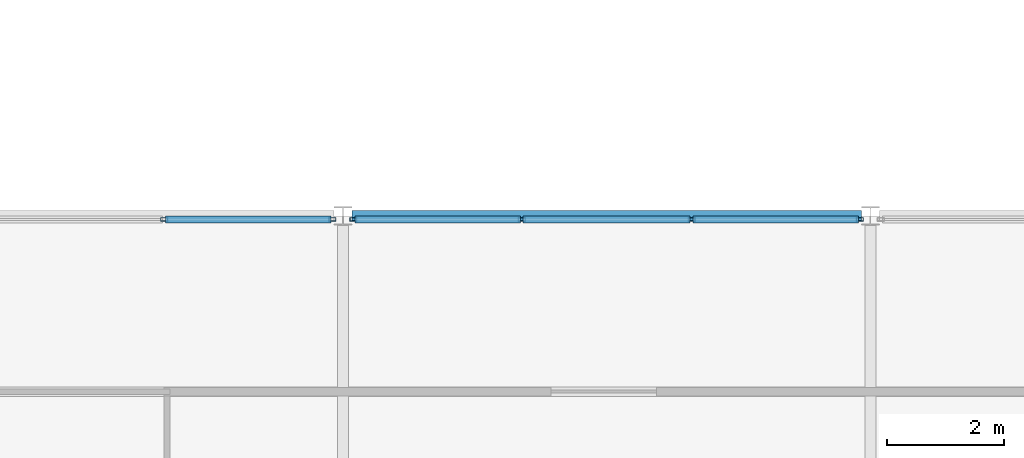
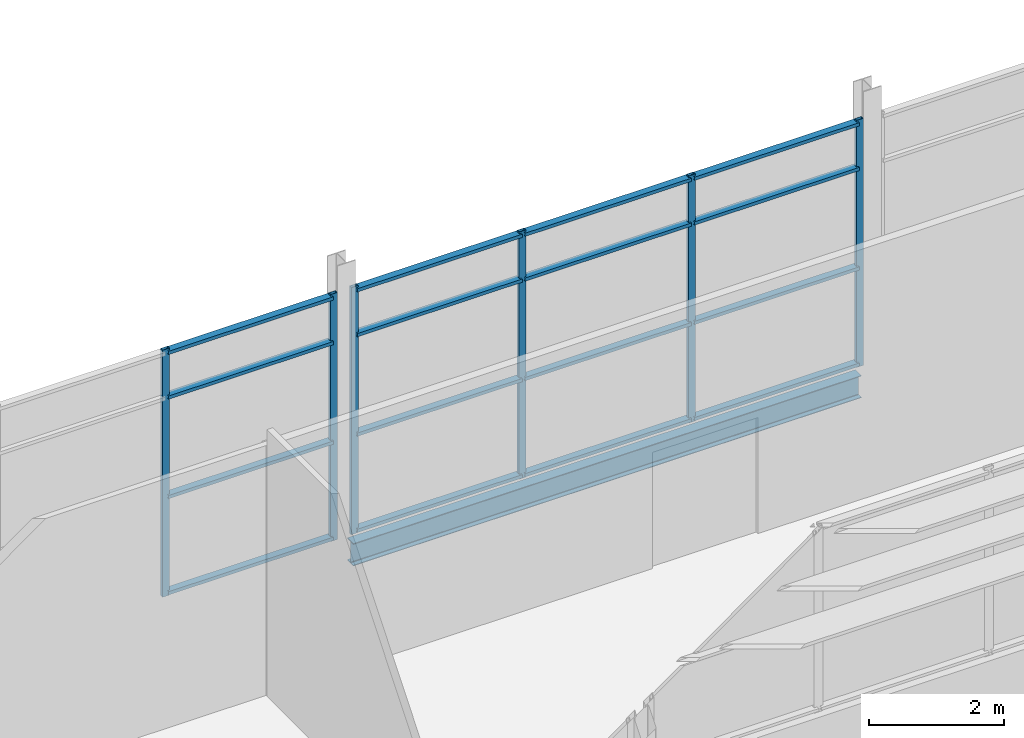
# One storey, part 31 of 61: 22 members, 1 beam, 2 elements without a shape of their own.
"""IFC4 building model written with IfcOpenShell, lengths in metres."""

import ifcopenshell
import ifcopenshell.guid

model = None  # the IFC model being written
_history = None  # IfcOwnerHistory: only IFC2X3 demands one
_inside = {}  # id of a spatial element -> (the spatial element, [elements in it])
_under = {}  # id of a project, library or spatial element -> (it, [spatial elements below it])
_declared = {}  # id of a project -> (the project, [libraries it declares])
_typed = {}  # id of a type object -> (the type object, [elements of that type])
_made_of = {}  # id of a material, layer set ... -> (it, [elements and type objects made of it])


def new_model(schema):
    """Start an empty IFC model of exactly this schema.

    Asked for "IFC4X3", IfcOpenShell would pick the latest addendum, in which some entities
    have other attributes; the version numbers below select the first issue.
    IFC2X3 requires an IfcOwnerHistory on every rooted entity: one is made here for all.
    """
    global model, _history
    if schema == "IFC4X3":
        model = ifcopenshell.file(schema_version=(4, 3, 0, 0))
    else:
        model = ifcopenshell.file(schema=schema)
    _inside.clear()
    _under.clear()
    _declared.clear()
    _typed.clear()
    _made_of.clear()
    _history = None
    if model.schema == "IFC2X3":
        org = make("IfcOrganization", Name="unknown")
        user = make(
            "IfcPersonAndOrganization",
            ThePerson=make("IfcPerson", FamilyName="unknown"),
            TheOrganization=org,
        )
        app = make(
            "IfcApplication",
            ApplicationDeveloper=org,
            Version="unknown",
            ApplicationFullName="unknown",
            ApplicationIdentifier="unknown",
        )
        _history = make(
            "IfcOwnerHistory",
            OwningUser=user,
            OwningApplication=app,
            ChangeAction="ADDED",
            CreationDate=0,
        )
    return model


def make(cls, **values):
    """One entity of the class cls with the attributes given. An attribute that is None is left unset."""
    return model.create_entity(
        cls, **{name: value for name, value in values.items() if value is not None}
    )


def rooted(cls, **values):
    """An entity with a GlobalId (a new one), such as an element, a storey or a relation."""
    return make(cls, GlobalId=ifcopenshell.guid.new(), OwnerHistory=_history, **values)


def si_unit(unit_type, name, prefix=None):
    """IfcSIUnit, for example si_unit("LENGTHUNIT", "METRE", prefix="MILLI")."""
    return make("IfcSIUnit", UnitType=unit_type, Prefix=prefix, Name=name)


def assignment(units):
    """IfcUnitAssignment: the units of a project."""
    return None if units is None else make("IfcUnitAssignment", Units=units)


def point(xyz):
    """IfcCartesianPoint."""
    return None if xyz is None else make("IfcCartesianPoint", Coordinates=xyz)


def direction(xyz):
    """IfcDirection."""
    return None if xyz is None else make("IfcDirection", DirectionRatios=xyz)


def frame(location, z_axis=None, x_axis=None):
    """IfcAxis2Placement3D, a coordinate frame: its origin and axes. An axis left out is left unset."""
    return make(
        "IfcAxis2Placement3D",
        Location=point(location),
        Axis=direction(z_axis),
        RefDirection=direction(x_axis),
    )


def frame_2d(location, x_axis=None):
    """IfcAxis2Placement2D, a coordinate frame in the plane: its origin and x axis."""
    return make(
        "IfcAxis2Placement2D", Location=point(location), RefDirection=direction(x_axis)
    )


def origin():
    """The frame at (0, 0, 0) with its axes left unset."""
    return frame((0.0, 0.0, 0.0))


def origin_2d():
    """The frame at (0, 0) in the plane with its x axis left unset."""
    return frame_2d((0.0, 0.0))


def place(relative_to, where):
    """IfcLocalPlacement: puts the frame where relative to a parent placement (None: the world)."""
    return make(
        "IfcLocalPlacement", PlacementRelTo=relative_to, RelativePlacement=where
    )


def context(
    kind, dimensions, precision=None, world=None, true_north=None, identifier=None
):
    """IfcGeometricRepresentationContext, for example the 3D "Model" context."""
    return make(
        "IfcGeometricRepresentationContext",
        ContextIdentifier=identifier,
        ContextType=kind,
        CoordinateSpaceDimension=dimensions,
        Precision=precision,
        WorldCoordinateSystem=world,
        TrueNorth=true_north,
    )


def subcontext(parent, identifier, kind, view, scale=None):
    """IfcGeometricRepresentationSubContext, for example "Body" below "Model"."""
    return make(
        "IfcGeometricRepresentationSubContext",
        ContextIdentifier=identifier,
        ContextType=kind,
        ParentContext=parent,
        TargetScale=scale,
        TargetView=view,
    )


def project(units=None, contexts=None):
    """IfcProject with its units and contexts."""
    return rooted(
        "IfcProject",
        Name="project",
        RepresentationContexts=contexts,
        UnitsInContext=assignment(units),
    )


def spatial(cls, under=None, at=None, **own):
    """A site, building, storey or space (cls), placed at a placement, below another one or the project."""
    s = rooted(cls, ObjectPlacement=at, **own)
    if under is not None:
        _under.setdefault(under.id(), (under, []))[1].append(s)
    return s


def profile(cls, at=None, kind="AREA", **sizes):
    """A parametric profile (cls). Its sizes go by their IFC names, for example OverallWidth=200.0."""
    return make(cls, ProfileType=kind, Position=at, **sizes)


def hollow_rectangle(**sizes):
    """IfcRectangleHollowProfileDef."""
    return profile("IfcRectangleHollowProfileDef", **sizes)


def i_section(**sizes):
    """IfcIShapeProfileDef."""
    return profile("IfcIShapeProfileDef", **sizes)


def extrude(swept, where, along, depth):
    """IfcExtrudedAreaSolid: the profile swept, set in the frame where, extruded along a direction by depth."""
    return make(
        "IfcExtrudedAreaSolid",
        SweptArea=swept,
        Position=where,
        ExtrudedDirection=direction(along),
        Depth=depth,
    )


def shape(context_of_items, identifier, shape_type, items):
    """IfcShapeRepresentation: the items that make up one representation, for example the "Body"."""
    return make(
        "IfcShapeRepresentation",
        ContextOfItems=context_of_items,
        RepresentationIdentifier=identifier,
        RepresentationType=shape_type,
        Items=items,
    )


def material(Name=None, Category=None):
    """IfcMaterial."""
    return make("IfcMaterial", Name=Name, Category=Category)


def layer(
    of_material, thickness, ventilated=None, Name=None, Category=None, Priority=None
):
    """IfcMaterialLayer: one layer of a wall or slab, of a material (None: an air gap)."""
    return make(
        "IfcMaterialLayer",
        Material=of_material,
        LayerThickness=thickness,
        IsVentilated=ventilated,
        Name=Name,
        Category=Category,
        Priority=Priority,
    )


def layer_set(layers, Name=None):
    """IfcMaterialLayerSet."""
    return make("IfcMaterialLayerSet", MaterialLayers=layers, LayerSetName=Name)


def material_profile(
    of_material, cross_section, Name=None, Category=None, Priority=None
):
    """IfcMaterialProfile: a cross section and its material."""
    return make(
        "IfcMaterialProfile",
        Name=Name,
        Material=of_material,
        Profile=cross_section,
        Priority=Priority,
        Category=Category,
    )


def profile_set(profiles, Name=None, composite=None):
    """IfcMaterialProfileSet."""
    return make(
        "IfcMaterialProfileSet",
        Name=Name,
        MaterialProfiles=profiles,
        CompositeProfile=composite,
    )


def made_of(thing, what):
    """Note that an element or type object is made of a material, layer set ...; save() writes the relation."""
    if what is not None:
        _made_of.setdefault(what.id(), (what, []))[1].append(thing)
    return thing


def type_object(cls, material=None, **own):
    """A type object (cls), such as IfcWallType, which elements share."""
    return made_of(rooted(cls, **own), material)


def element(
    cls,
    number,
    at=None,
    inside=None,
    cuts=None,
    type_object=None,
    material=None,
    context=None,
    identifier="Body",
    shape_type=None,
    held_by="IfcProductDefinitionShape",
    body=None,
    shapes=None,
    **own,
):
    """One element of the class cls, such as IfcWall. Its Tag is "e" and its number.

    at: its placement. inside: the storey or other place that contains it. cuts: it is an
    opening in that element (IfcRelVoidsElement). A single representation is given by context,
    identifier, shape_type and body (its items); several are given by shapes. held_by: the class
    of the entity that holds the representations. save() writes the other relations.
    """
    e = rooted(cls, Tag="e%d" % number, ObjectPlacement=at, **own)
    if body is not None:
        shapes = [shape(context, identifier, shape_type, body)]
    if shapes is not None:
        e.Representation = make(held_by, Representations=shapes)
    if inside is not None:
        _inside.setdefault(inside.id(), (inside, []))[1].append(e)
    if cuts is not None:
        rooted(
            "IfcRelVoidsElement", RelatingBuildingElement=cuts, RelatedOpeningElement=e
        )
    if type_object is not None:
        _typed.setdefault(type_object.id(), (type_object, []))[1].append(e)
    return made_of(e, material)


def aggregate(whole, parts):
    """IfcRelAggregates: a whole, such as a stair, and the parts it consists of."""
    return rooted("IfcRelAggregates", RelatingObject=whole, RelatedObjects=parts)


def save(model, path):
    """Write the relations noted so far, then the file.

    IfcRelAggregates (storeys below a building ...), IfcRelContainedInSpatialStructure (elements
    in a storey), IfcRelDefinesByType, IfcRelAssociatesMaterial and IfcRelDeclares: one each for
    every whole, place, type object, material and project.
    """
    for whole, parts in _under.values():
        aggregate(whole, parts)
    for where, things in _inside.values():
        rooted(
            "IfcRelContainedInSpatialStructure",
            RelatedElements=things,
            RelatingStructure=where,
        )
    for kind, things in _typed.values():
        rooted("IfcRelDefinesByType", RelatedObjects=things, RelatingType=kind)
    for what, things in _made_of.values():
        rooted("IfcRelAssociatesMaterial", RelatedObjects=things, RelatingMaterial=what)
    for by, libraries in _declared.values():
        rooted("IfcRelDeclares", RelatingContext=by, RelatedDefinitions=libraries)
    model.write(path)


model = new_model("IFC4")

# Units and contexts
model_context = context("Model", 3, precision=1e-05, world=origin(), true_north=direction((0.0, 1.0)))
body_context = subcontext(model_context, "Body", "Model", "MODEL_VIEW")
ifc_project = project(units=[si_unit("LENGTHUNIT", "METRE"), si_unit("AREAUNIT", "SQUARE_METRE"), si_unit("VOLUMEUNIT", "CUBIC_METRE"), si_unit("PLANEANGLEUNIT", "RADIAN"), si_unit("MASSUNIT", "GRAM", prefix="KILO")], contexts=[model_context])

# Site, building, storey
site_placement = place(None, origin())
site = spatial("IfcSite", under=ifc_project, at=site_placement, CompositionType="ELEMENT")
building_placement = place(site_placement, origin())
building = spatial("IfcBuilding", under=site, at=building_placement, Name="Shorebreak Coast Museum", CompositionType="ELEMENT")
storey_placement = place(building_placement, frame((0.0, 0.0, 26.0)))
storey = spatial("IfcBuildingStorey", under=building, at=storey_placement, Name="L04", CompositionType="ELEMENT", Elevation=26.0)

# Beam
ifc_material_1 = material(Name="Steel Grade 300", Category="steel")
ifc_material_profile_1 = material_profile(ifc_material_1, i_section(OverallWidth=0.177978515625, OverallDepth=0.402587890625, WebThickness=0.007568359375, FlangeThickness=0.010986328125, FilletRadius=0.011474609375, at=origin_2d()), Name="410UB53.7")
ifc_profile_set_1 = profile_set([ifc_material_profile_1], Name="Steel Grade 300")
beam_type = type_object("IfcBeamType", Name="Floor girder east-west 410UB53.7", PredefinedType="BEAM", material=ifc_profile_set_1)
beam_placement = place(storey_placement, frame((90.154541015625, 63.0, -0.376220703125), z_axis=(1.0, 0.0, 0.0), x_axis=(0.0, 1.0, 0.0)))
element("IfcBeam", 1, at=beam_placement, inside=storey, type_object=beam_type, Name="Floor girder east-west L04 11H", PredefinedType="BEAM", context=body_context, shape_type="SweptSolid", body=[
    extrude(i_section(OverallWidth=0.177978515625, OverallDepth=0.402587890625, WebThickness=0.007568359375, FlangeThickness=0.010986328125, FilletRadius=0.011474609375, at=origin_2d()), origin(), (0.0, 0.0, 1.0), 8.69091796875),
])

# Curtain wall, members
ifc_material_2 = material(Name="Aluminium", Category="aluminium")
ifc_layer = layer(ifc_material_2, 0.1201171875)
ifc_layer_set = layer_set([ifc_layer], Name="Aluminium")
curtain_wall_type = type_object("IfcCurtainWallType", Name="Atrium fire screen", PredefinedType="NOTDEFINED", material=ifc_layer_set)
curtain_wall_1_placement = place(storey_placement, origin())
curtain_wall_1 = element("IfcCurtainWall", 2, at=curtain_wall_1_placement, inside=storey, type_object=curtain_wall_type, Name="Atrium screen L04 S 51", PredefinedType="NOTDEFINED")
ifc_material_3 = material(Name="Aluminium", Category="aluminium")
ifc_material_profile_2 = material_profile(ifc_material_3, hollow_rectangle(XDim=0.06005859375, YDim=0.1201171875, WallThickness=0.00341796875, at=origin_2d()), Name="AL 120x60 RHS")
ifc_profile_set_2 = profile_set([ifc_material_profile_2], Name="Aluminium")
member_type_1 = type_object("IfcMemberType", Name="Screen mullion 50 x 120", PredefinedType="MULLION", material=ifc_profile_set_2)
member_1_placement = place(storey_placement, frame((86.94873046875, 62.93994140625, 0.0), z_axis=(0.0, 0.0, 1.0), x_axis=(0.0, 1.0, 0.0)))
member_1 = element("IfcMember", 3, at=member_1_placement, type_object=member_type_1, Name="CW4 mullion 3", PredefinedType="MULLION", context=body_context, shape_type="SweptSolid", body=[
    extrude(hollow_rectangle(XDim=0.06005859375, YDim=0.1201171875, WallThickness=0.00341796875, at=origin_2d()), origin(), (0.0, 0.0, 1.0), 4.469482421875),
])
member_2_placement = place(storey_placement, frame((89.821533203125, 62.93994140625, 0.0), z_axis=(0.0, 0.0, 1.0), x_axis=(0.0, 1.0, 0.0)))
member_2 = element("IfcMember", 4, at=member_2_placement, type_object=member_type_1, Name="CW4 mullion 4", PredefinedType="MULLION", context=body_context, shape_type="SweptSolid", body=[
    extrude(hollow_rectangle(XDim=0.06005859375, YDim=0.1201171875, WallThickness=0.00341796875, at=origin_2d()), origin(), (0.0, 0.0, 1.0), 4.469482421875),
])

curtain_wall_2_placement = place(storey_placement, origin())
curtain_wall_2 = element("IfcCurtainWall", 5, at=curtain_wall_2_placement, inside=storey, type_object=curtain_wall_type, Name="Atrium screen L04 S 52", PredefinedType="NOTDEFINED")
member_3_placement = place(storey_placement, frame((90.178466796875, 62.93994140625, 0.0), z_axis=(0.0, 0.0, 1.0), x_axis=(0.0, 1.0, 0.0)))
member_3 = element("IfcMember", 6, at=member_3_placement, type_object=member_type_1, Name="CW5 mullion 1", PredefinedType="MULLION", context=body_context, shape_type="SweptSolid", body=[
    extrude(hollow_rectangle(XDim=0.06005859375, YDim=0.1201171875, WallThickness=0.00341796875, at=origin_2d()), origin(), (0.0, 0.0, 1.0), 4.469482421875),
])
member_4_placement = place(storey_placement, frame((93.05126953125, 62.93994140625, 0.0), z_axis=(0.0, 0.0, 1.0), x_axis=(0.0, 1.0, 0.0)))
member_4 = element("IfcMember", 7, at=member_4_placement, type_object=member_type_1, Name="CW5 mullion 2", PredefinedType="MULLION", context=body_context, shape_type="SweptSolid", body=[
    extrude(hollow_rectangle(XDim=0.06005859375, YDim=0.1201171875, WallThickness=0.00341796875, at=origin_2d()), origin(), (0.0, 0.0, 1.0), 4.469482421875),
])
member_5_placement = place(storey_placement, frame((95.94873046875, 62.93994140625, 0.0), z_axis=(0.0, 0.0, 1.0), x_axis=(0.0, 1.0, 0.0)))
member_5 = element("IfcMember", 8, at=member_5_placement, type_object=member_type_1, Name="CW5 mullion 3", PredefinedType="MULLION", context=body_context, shape_type="SweptSolid", body=[
    extrude(hollow_rectangle(XDim=0.06005859375, YDim=0.1201171875, WallThickness=0.00341796875, at=origin_2d()), origin(), (0.0, 0.0, 1.0), 4.469482421875),
])
member_6_placement = place(storey_placement, frame((98.821533203125, 62.93994140625, 0.0), z_axis=(0.0, 0.0, 1.0), x_axis=(0.0, 1.0, 0.0)))
member_6 = element("IfcMember", 9, at=member_6_placement, type_object=member_type_1, Name="CW5 mullion 4", PredefinedType="MULLION", context=body_context, shape_type="SweptSolid", body=[
    extrude(hollow_rectangle(XDim=0.06005859375, YDim=0.1201171875, WallThickness=0.00341796875, at=origin_2d()), origin(), (0.0, 0.0, 1.0), 4.469482421875),
])

# Member
ifc_material_4 = material(Name="Aluminium", Category="aluminium")
ifc_material_profile_3 = material_profile(ifc_material_4, hollow_rectangle(XDim=0.1201171875, YDim=0.06005859375, WallThickness=0.00341796875, at=origin_2d()), Name="AL 60x120 RHS")
ifc_profile_set_3 = profile_set([ifc_material_profile_3], Name="Aluminium")
member_type_2 = type_object("IfcMemberType", Name="Screen transom 120 x 50", PredefinedType="USERDEFINED", material=ifc_profile_set_3)
member_7_placement = place(storey_placement, frame((86.973876953125, 62.93994140625, 0.06005859375), z_axis=(1.0, 0.0, 0.0), x_axis=(0.0, 1.0, 0.0)))
member_7 = element("IfcMember", 10, at=member_7_placement, type_object=member_type_2, Name="CW4 transom 3.1", ObjectType="TRANSOM", PredefinedType="USERDEFINED", context=body_context, shape_type="SweptSolid", body=[
    extrude(hollow_rectangle(XDim=0.1201171875, YDim=0.06005859375, WallThickness=0.00341796875, at=origin_2d()), origin(), (0.0, 0.0, 1.0), 2.822509765625),
])

member_8_placement = place(storey_placement, frame((86.973876953125, 62.93994140625, 1.800048828125), z_axis=(1.0, 0.0, 0.0), x_axis=(0.0, 1.0, 0.0)))
member_8 = element("IfcMember", 11, at=member_8_placement, type_object=member_type_2, Name="CW4 transom 3.2", ObjectType="TRANSOM", PredefinedType="USERDEFINED", context=body_context, shape_type="SweptSolid", body=[
    extrude(hollow_rectangle(XDim=0.1201171875, YDim=0.06005859375, WallThickness=0.00341796875, at=origin_2d()), origin(), (0.0, 0.0, 1.0), 2.822509765625),
])

member_9_placement = place(storey_placement, frame((86.973876953125, 62.93994140625, 3.60009765625), z_axis=(1.0, 0.0, 0.0), x_axis=(0.0, 1.0, 0.0)))
member_9 = element("IfcMember", 12, at=member_9_placement, type_object=member_type_2, Name="CW4 transom 3.3", ObjectType="TRANSOM", PredefinedType="USERDEFINED", context=body_context, shape_type="SweptSolid", body=[
    extrude(hollow_rectangle(XDim=0.1201171875, YDim=0.06005859375, WallThickness=0.00341796875, at=origin_2d()), origin(), (0.0, 0.0, 1.0), 2.822509765625),
])

member_10_placement = place(storey_placement, frame((86.973876953125, 62.93994140625, 4.409423828125), z_axis=(1.0, 0.0, 0.0), x_axis=(0.0, 1.0, 0.0)))
member_10 = element("IfcMember", 13, at=member_10_placement, type_object=member_type_2, Name="CW4 transom 3.4", ObjectType="TRANSOM", PredefinedType="USERDEFINED", context=body_context, shape_type="SweptSolid", body=[
    extrude(hollow_rectangle(XDim=0.1201171875, YDim=0.06005859375, WallThickness=0.00341796875, at=origin_2d()), origin(), (0.0, 0.0, 1.0), 2.822509765625),
])

aggregate(curtain_wall_1, [member_1, member_2, member_7, member_8, member_9, member_10])

member_11_placement = place(storey_placement, frame((90.20361328125, 62.93994140625, 0.06005859375), z_axis=(1.0, 0.0, 0.0), x_axis=(0.0, 1.0, 0.0)))
member_11 = element("IfcMember", 14, at=member_11_placement, type_object=member_type_2, Name="CW5 transom 1.1", ObjectType="TRANSOM", PredefinedType="USERDEFINED", context=body_context, shape_type="SweptSolid", body=[
    extrude(hollow_rectangle(XDim=0.1201171875, YDim=0.06005859375, WallThickness=0.00341796875, at=origin_2d()), origin(), (0.0, 0.0, 1.0), 2.822509765625),
])

member_12_placement = place(storey_placement, frame((90.20361328125, 62.93994140625, 1.800048828125), z_axis=(1.0, 0.0, 0.0), x_axis=(0.0, 1.0, 0.0)))
member_12 = element("IfcMember", 15, at=member_12_placement, type_object=member_type_2, Name="CW5 transom 1.2", ObjectType="TRANSOM", PredefinedType="USERDEFINED", context=body_context, shape_type="SweptSolid", body=[
    extrude(hollow_rectangle(XDim=0.1201171875, YDim=0.06005859375, WallThickness=0.00341796875, at=origin_2d()), origin(), (0.0, 0.0, 1.0), 2.822509765625),
])

member_13_placement = place(storey_placement, frame((90.20361328125, 62.93994140625, 3.60009765625), z_axis=(1.0, 0.0, 0.0), x_axis=(0.0, 1.0, 0.0)))
member_13 = element("IfcMember", 16, at=member_13_placement, type_object=member_type_2, Name="CW5 transom 1.3", ObjectType="TRANSOM", PredefinedType="USERDEFINED", context=body_context, shape_type="SweptSolid", body=[
    extrude(hollow_rectangle(XDim=0.1201171875, YDim=0.06005859375, WallThickness=0.00341796875, at=origin_2d()), origin(), (0.0, 0.0, 1.0), 2.822509765625),
])

member_14_placement = place(storey_placement, frame((90.20361328125, 62.93994140625, 4.409423828125), z_axis=(1.0, 0.0, 0.0), x_axis=(0.0, 1.0, 0.0)))
member_14 = element("IfcMember", 17, at=member_14_placement, type_object=member_type_2, Name="CW5 transom 1.4", ObjectType="TRANSOM", PredefinedType="USERDEFINED", context=body_context, shape_type="SweptSolid", body=[
    extrude(hollow_rectangle(XDim=0.1201171875, YDim=0.06005859375, WallThickness=0.00341796875, at=origin_2d()), origin(), (0.0, 0.0, 1.0), 2.822509765625),
])

member_15_placement = place(storey_placement, frame((93.076171875, 62.93994140625, 0.06005859375), z_axis=(1.0, 0.0, 0.0), x_axis=(0.0, 1.0, 0.0)))
member_15 = element("IfcMember", 18, at=member_15_placement, type_object=member_type_2, Name="CW5 transom 2.1", ObjectType="TRANSOM", PredefinedType="USERDEFINED", context=body_context, shape_type="SweptSolid", body=[
    extrude(hollow_rectangle(XDim=0.1201171875, YDim=0.06005859375, WallThickness=0.00341796875, at=origin_2d()), origin(), (0.0, 0.0, 1.0), 2.84765625),
])

member_16_placement = place(storey_placement, frame((93.076171875, 62.93994140625, 1.800048828125), z_axis=(1.0, 0.0, 0.0), x_axis=(0.0, 1.0, 0.0)))
member_16 = element("IfcMember", 19, at=member_16_placement, type_object=member_type_2, Name="CW5 transom 2.2", ObjectType="TRANSOM", PredefinedType="USERDEFINED", context=body_context, shape_type="SweptSolid", body=[
    extrude(hollow_rectangle(XDim=0.1201171875, YDim=0.06005859375, WallThickness=0.00341796875, at=origin_2d()), origin(), (0.0, 0.0, 1.0), 2.84765625),
])

member_17_placement = place(storey_placement, frame((93.076171875, 62.93994140625, 3.60009765625), z_axis=(1.0, 0.0, 0.0), x_axis=(0.0, 1.0, 0.0)))
member_17 = element("IfcMember", 20, at=member_17_placement, type_object=member_type_2, Name="CW5 transom 2.3", ObjectType="TRANSOM", PredefinedType="USERDEFINED", context=body_context, shape_type="SweptSolid", body=[
    extrude(hollow_rectangle(XDim=0.1201171875, YDim=0.06005859375, WallThickness=0.00341796875, at=origin_2d()), origin(), (0.0, 0.0, 1.0), 2.84765625),
])

member_18_placement = place(storey_placement, frame((93.076171875, 62.93994140625, 4.409423828125), z_axis=(1.0, 0.0, 0.0), x_axis=(0.0, 1.0, 0.0)))
member_18 = element("IfcMember", 21, at=member_18_placement, type_object=member_type_2, Name="CW5 transom 2.4", ObjectType="TRANSOM", PredefinedType="USERDEFINED", context=body_context, shape_type="SweptSolid", body=[
    extrude(hollow_rectangle(XDim=0.1201171875, YDim=0.06005859375, WallThickness=0.00341796875, at=origin_2d()), origin(), (0.0, 0.0, 1.0), 2.84765625),
])

member_19_placement = place(storey_placement, frame((95.973876953125, 62.93994140625, 0.06005859375), z_axis=(1.0, 0.0, 0.0), x_axis=(0.0, 1.0, 0.0)))
member_19 = element("IfcMember", 22, at=member_19_placement, type_object=member_type_2, Name="CW5 transom 3.1", ObjectType="TRANSOM", PredefinedType="USERDEFINED", context=body_context, shape_type="SweptSolid", body=[
    extrude(hollow_rectangle(XDim=0.1201171875, YDim=0.06005859375, WallThickness=0.00341796875, at=origin_2d()), origin(), (0.0, 0.0, 1.0), 2.822509765625),
])

member_20_placement = place(storey_placement, frame((95.973876953125, 62.93994140625, 1.800048828125), z_axis=(1.0, 0.0, 0.0), x_axis=(0.0, 1.0, 0.0)))
member_20 = element("IfcMember", 23, at=member_20_placement, type_object=member_type_2, Name="CW5 transom 3.2", ObjectType="TRANSOM", PredefinedType="USERDEFINED", context=body_context, shape_type="SweptSolid", body=[
    extrude(hollow_rectangle(XDim=0.1201171875, YDim=0.06005859375, WallThickness=0.00341796875, at=origin_2d()), origin(), (0.0, 0.0, 1.0), 2.822509765625),
])

member_21_placement = place(storey_placement, frame((95.973876953125, 62.93994140625, 3.60009765625), z_axis=(1.0, 0.0, 0.0), x_axis=(0.0, 1.0, 0.0)))
member_21 = element("IfcMember", 24, at=member_21_placement, type_object=member_type_2, Name="CW5 transom 3.3", ObjectType="TRANSOM", PredefinedType="USERDEFINED", context=body_context, shape_type="SweptSolid", body=[
    extrude(hollow_rectangle(XDim=0.1201171875, YDim=0.06005859375, WallThickness=0.00341796875, at=origin_2d()), origin(), (0.0, 0.0, 1.0), 2.822509765625),
])

member_22_placement = place(storey_placement, frame((95.973876953125, 62.93994140625, 4.409423828125), z_axis=(1.0, 0.0, 0.0), x_axis=(0.0, 1.0, 0.0)))
member_22 = element("IfcMember", 25, at=member_22_placement, type_object=member_type_2, Name="CW5 transom 3.4", ObjectType="TRANSOM", PredefinedType="USERDEFINED", context=body_context, shape_type="SweptSolid", body=[
    extrude(hollow_rectangle(XDim=0.1201171875, YDim=0.06005859375, WallThickness=0.00341796875, at=origin_2d()), origin(), (0.0, 0.0, 1.0), 2.822509765625),
])

aggregate(curtain_wall_2, [member_3, member_4, member_5, member_6, member_11, member_12, member_13, member_14, member_15, member_16, member_17, member_18, member_19, member_20, member_21, member_22])

save(model, "model.ifc")
